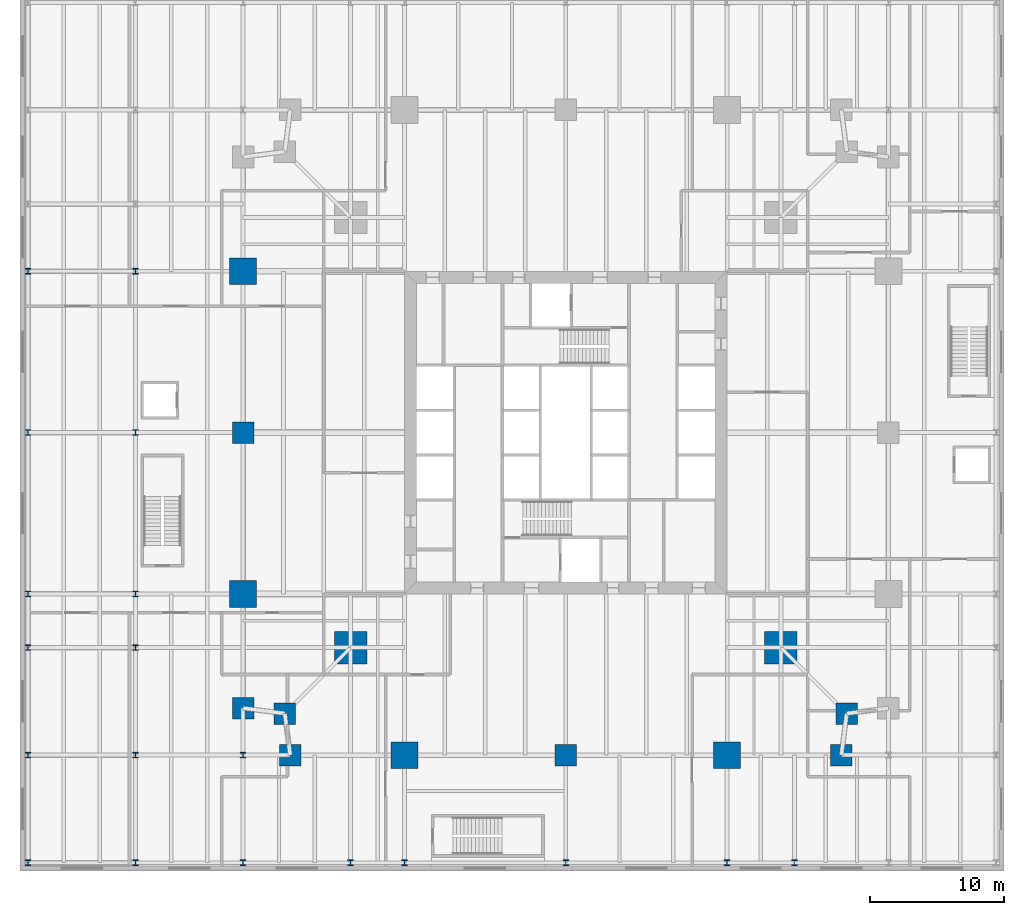
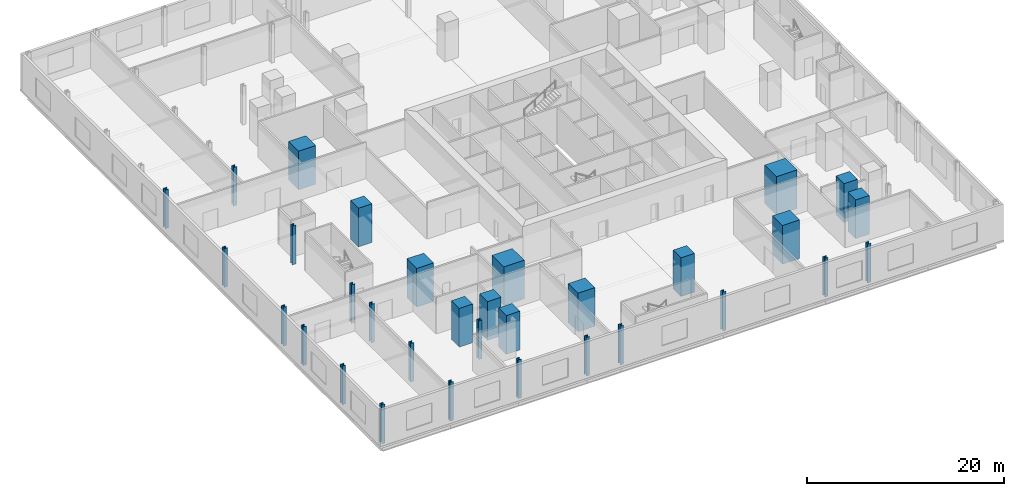
# One storey, part 1 of 16: 32 columns.
"""IFC4 building model written with IfcOpenShell, lengths in metres."""

from ifc_helpers import new_model, si_unit, direction, frame, origin, origin_2d, place, context, subcontext, project, spatial, rectangle, i_section, extrude, material, material_profile, profile_set, type_object, element, save


model = new_model("IFC4")

# Units and contexts
model_context = context("Model", 3, precision=1e-05, world=origin(), true_north=direction((0.0, 1.0)))
body_context = subcontext(model_context, "Body", "Model", "MODEL_VIEW")
ifc_project = project(units=[si_unit("LENGTHUNIT", "METRE"), si_unit("AREAUNIT", "SQUARE_METRE"), si_unit("VOLUMEUNIT", "CUBIC_METRE"), si_unit("PLANEANGLEUNIT", "RADIAN"), si_unit("MASSUNIT", "GRAM", prefix="KILO")], contexts=[model_context])

# Site, building, storey
site_placement = place(None, origin())
site = spatial("IfcSite", under=ifc_project, at=site_placement, CompositionType="ELEMENT")
building_placement = place(site_placement, origin())
building = spatial("IfcBuilding", under=site, at=building_placement, Name="Fenwick Lantern Interchange", CompositionType="ELEMENT")
storey_placement = place(building_placement, frame((0.0, 0.0, 16.60009765625)))
storey = spatial("IfcBuildingStorey", under=building, at=storey_placement, Name="L03", CompositionType="ELEMENT", Elevation=16.60009765625)

# Columns
ifc_material_1 = material(Name="Concrete f'c 70 MPa", Category="concrete")
ifc_material_profile_1 = material_profile(ifc_material_1, rectangle(XDim=2.39990234375, YDim=2.39990234375, at=origin_2d()), Name="RC2400X2400")
ifc_profile_set_1 = profile_set([ifc_material_profile_1], Name="Concrete f'c 70 MPa")
column_type_1 = type_object("IfcColumnType", Name="MEGA COLUMN RC2400X2400", PredefinedType="COLUMN", material=ifc_profile_set_1)
for number, where, z_axis, x_axis, name in (
    (1, (9.0, 9.0, 0.0), (0.0, 0.0, 1.0), (1.0, 0.0, 0.0), "L03/M1"),
    (2, (41.0, 9.0, 0.0), (0.0, 0.0, 1.0), (1.0, 0.0, 0.0), "L03/M2"),
):
    element("IfcColumn", number, at=place(storey_placement, frame(where, z_axis=z_axis, x_axis=x_axis)), inside=storey, type_object=column_type_1, Name=name, PredefinedType="COLUMN", context=body_context, shape_type="SweptSolid", body=[
        extrude(rectangle(XDim=2.39990234375, YDim=2.39990234375, at=origin_2d()), origin(), (0.0, 0.0, 1.0), 4.7998046875),
    ])
ifc_material_profile_2 = material_profile(ifc_material_1, rectangle(XDim=1.60009765625, YDim=1.60009765625, at=origin_2d()), Name="RC1600X1600")
ifc_profile_set_2 = profile_set([ifc_material_profile_2], Name="Concrete f'c 70 MPa")
column_type_2 = type_object("IfcColumnType", Name="PERIMETER COLUMN RC1600X1600", PredefinedType="COLUMN", material=ifc_profile_set_2)
for number, where, z_axis, x_axis, name in (
    (3, (4.5, 1.0, 0.0), (0.0, 0.0, 1.0), (1.0, 0.0, 0.0), "L03/CS1"),
    (4, (25.0, 1.0, 0.0), (0.0, 0.0, 1.0), (1.0, 0.0, 0.0), "L03/CS3"),
    (5, (45.5, 1.0, 0.0), (0.0, 0.0, 1.0), (1.0, 0.0, 0.0), "L03/CS5"),
    (6, (45.89990234375, 4.10009765625, 0.0), (0.0, 0.0, 1.0), (1.0, 0.0, 0.0), "L03/CSR"),
    (7, (1.0, 25.0, 0.0), (0.0, 0.0, 1.0), (1.0, 0.0, 0.0), "L03/CW3"),
    (8, (1.0, 4.5, 0.0), (0.0, 0.0, 1.0), (1.0, 0.0, 0.0), "L03/CW5"),
    (9, (4.10009765625, 4.10009765625, 0.0), (0.0, 0.0, 1.0), (1.0, 0.0, 0.0), "L03/CWR"),
):
    element("IfcColumn", number, at=place(storey_placement, frame(where, z_axis=z_axis, x_axis=x_axis)), inside=storey, type_object=column_type_2, Name=name, PredefinedType="COLUMN", context=body_context, shape_type="SweptSolid", body=[
        extrude(rectangle(XDim=1.60009765625, YDim=1.60009765625, at=origin_2d()), origin(), (0.0, 0.0, 1.0), 4.7998046875),
    ])
ifc_material_profile_3 = material_profile(ifc_material_1, rectangle(XDim=2.0, YDim=2.0, at=origin_2d()), Name="RC2000X2000")
ifc_profile_set_3 = profile_set([ifc_material_profile_3], Name="Concrete f'c 70 MPa")
column_type_3 = type_object("IfcColumnType", Name="PERIMETER COLUMN RC2000X2000", PredefinedType="COLUMN", material=ifc_profile_set_3)
for number, where, z_axis, x_axis, name in (
    (10, (13.0, 1.0, 0.0), (0.0, 0.0, 1.0), (1.0, 0.0, 0.0), "L03/CS2"),
    (11, (37.0, 1.0, 0.0), (0.0, 0.0, 1.0), (1.0, 0.0, 0.0), "L03/CS4"),
    (12, (1.0, 37.0, 0.0), (0.0, 0.0, 1.0), (1.0, 0.0, 0.0), "L03/CW2"),
    (13, (1.0, 13.0, 0.0), (0.0, 0.0, 1.0), (1.0, 0.0, 0.0), "L03/CW4"),
):
    element("IfcColumn", number, at=place(storey_placement, frame(where, z_axis=z_axis, x_axis=x_axis)), inside=storey, type_object=column_type_3, Name=name, PredefinedType="COLUMN", context=body_context, shape_type="SweptSolid", body=[
        extrude(rectangle(XDim=2.0, YDim=2.0, at=origin_2d()), origin(), (0.0, 0.0, 1.0), 4.7998046875),
    ])
ifc_material_2 = material(Name="Steel ASTM A992 Grade 50", Category="steel")
ifc_material_profile_4 = material_profile(ifc_material_2, i_section(OverallWidth=0.406494140625, OverallDepth=0.41650390625, WebThickness=0.030029296875, FlangeThickness=0.048095703125, at=origin_2d()), Name="W14X257")
ifc_profile_set_4 = profile_set([ifc_material_profile_4], Name="Steel ASTM A992 Grade 50")
column_type_4 = type_object("IfcColumnType", Name="PODIUM COLUMN W14X257", PredefinedType="COLUMN", material=ifc_profile_set_4)
for number, where, z_axis, x_axis, name in (
    (14, (-15.0, -7.0, 0.0), (0.0, 0.0, 1.0), (1.0, 0.0, 0.0), "L03/PB1"),
    (15, (-15.0, 1.0, 0.0), (0.0, 0.0, 1.0), (1.0, 0.0, 0.0), "L03/PC1"),
    (16, (-15.0, 9.0, 0.0), (0.0, 0.0, 1.0), (1.0, 0.0, 0.0), "L03/PD1"),
    (17, (-15.0, 13.0, 0.0), (0.0, 0.0, 1.0), (1.0, 0.0, 0.0), "L03/PE1"),
    (18, (-15.0, 25.0, 0.0), (0.0, 0.0, 1.0), (1.0, 0.0, 0.0), "L03/PF1"),
    (19, (-15.0, 37.0, 0.0), (0.0, 0.0, 1.0), (1.0, 0.0, 0.0), "L03/PG1"),
    (20, (-7.0, -7.0, 0.0), (0.0, 0.0, 1.0), (1.0, 0.0, 0.0), "L03/PB2"),
    (21, (-7.0, 1.0, 0.0), (0.0, 0.0, 1.0), (1.0, 0.0, 0.0), "L03/PC2"),
    (22, (-7.0, 9.0, 0.0), (0.0, 0.0, 1.0), (1.0, 0.0, 0.0), "L03/PD2"),
    (23, (-7.0, 13.0, 0.0), (0.0, 0.0, 1.0), (1.0, 0.0, 0.0), "L03/PE2"),
    (24, (-7.0, 25.0, 0.0), (0.0, 0.0, 1.0), (1.0, 0.0, 0.0), "L03/PF2"),
    (25, (-7.0, 37.0, 0.0), (0.0, 0.0, 1.0), (1.0, 0.0, 0.0), "L03/PG2"),
    (26, (1.0, -7.0, 0.0), (0.0, 0.0, 1.0), (1.0, 0.0, 0.0), "L03/PB3"),
    (27, (1.0, 1.0, 0.0), (0.0, 0.0, 1.0), (1.0, 0.0, 0.0), "L03/PC3"),
    (28, (9.0, -7.0, 0.0), (0.0, 0.0, 1.0), (1.0, 0.0, 0.0), "L03/PB4"),
    (29, (13.0, -7.0, 0.0), (0.0, 0.0, 1.0), (1.0, 0.0, 0.0), "L03/PB5"),
    (30, (25.0, -7.0, 0.0), (0.0, 0.0, 1.0), (1.0, 0.0, 0.0), "L03/PB6"),
    (31, (37.0, -7.0, 0.0), (0.0, 0.0, 1.0), (1.0, 0.0, 0.0), "L03/PB7"),
    (32, (42.0, -7.0, 0.0), (0.0, 0.0, 1.0), (1.0, 0.0, 0.0), "L03/PB8"),
):
    element("IfcColumn", number, at=place(storey_placement, frame(where, z_axis=z_axis, x_axis=x_axis)), inside=storey, type_object=column_type_4, Name=name, PredefinedType="COLUMN", context=body_context, shape_type="SweptSolid", body=[
        extrude(i_section(OverallWidth=0.406494140625, OverallDepth=0.41650390625, WebThickness=0.030029296875, FlangeThickness=0.048095703125, at=origin_2d()), origin(), (0.0, 0.0, 1.0), 4.7998046875),
    ])

save(model, "model.ifc")
